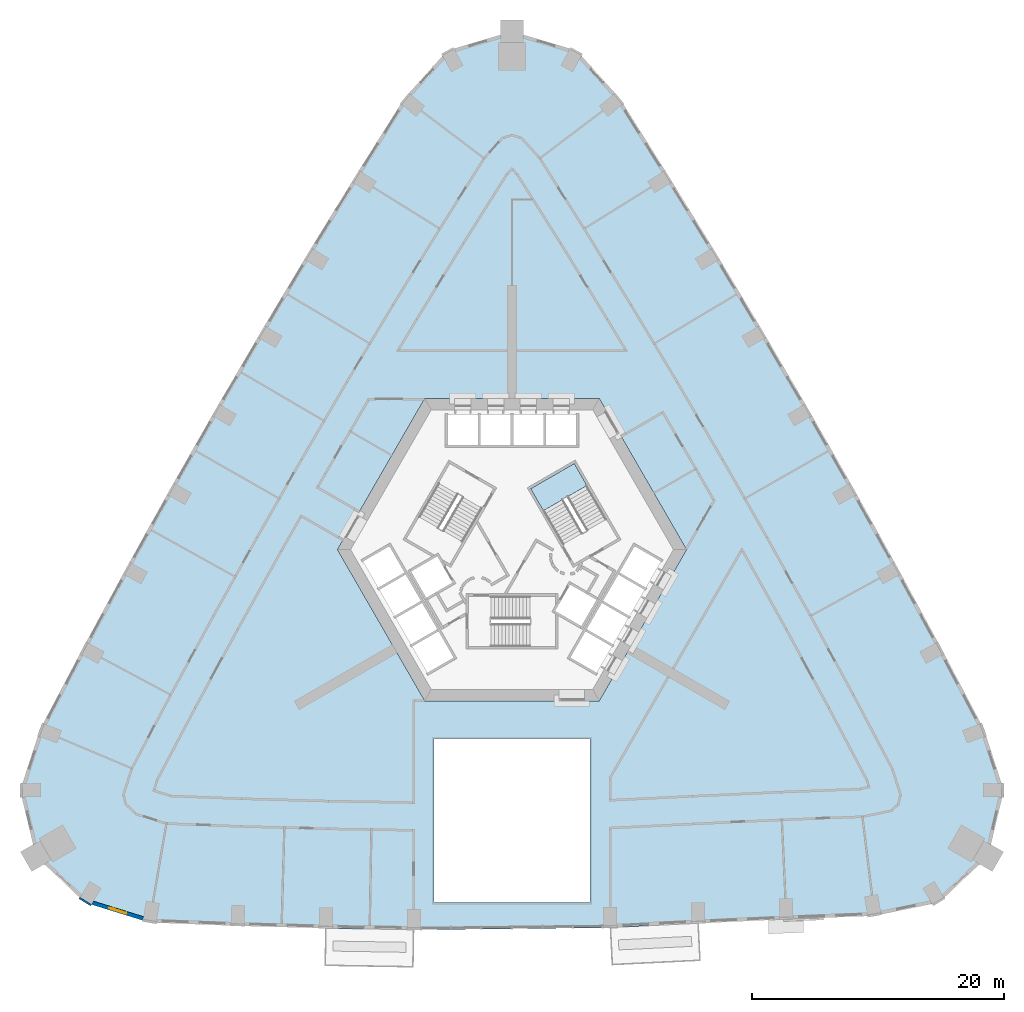
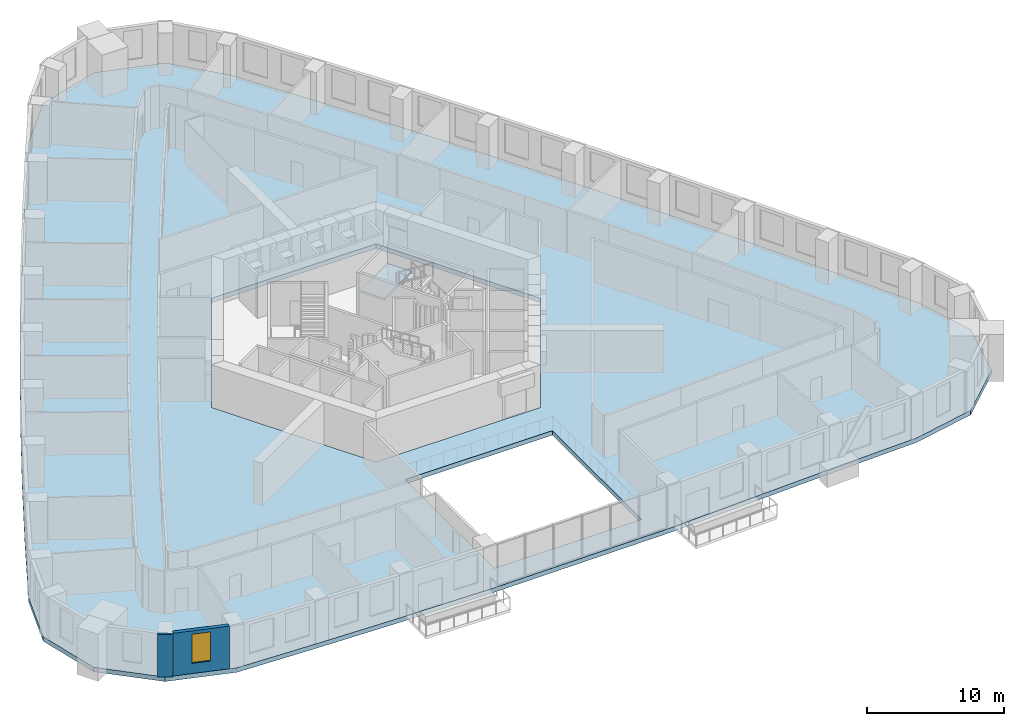
# One storey, part 3 of 14: 2 slabs, 2 walls, 1 window, 1 opening, 1 element without a shape of its own.
"""IFC4 building model written with IfcOpenShell, lengths in metres."""

from ifc_helpers import new_model, si_unit, direction, frame, frame_2d, origin, place, context, subcontext, project, spatial, polyline, rectangle, outline, extrude, material, layer, layer_set, type_object, element, fill, aggregate, save


model = new_model("IFC4")

# Units and contexts
model_context = context("Model", 3, precision=1e-05, world=origin(), true_north=direction((0.0, 1.0)))
body_context = subcontext(model_context, "Body", "Model", "MODEL_VIEW")
ifc_project = project(units=[si_unit("LENGTHUNIT", "METRE"), si_unit("AREAUNIT", "SQUARE_METRE"), si_unit("VOLUMEUNIT", "CUBIC_METRE"), si_unit("PLANEANGLEUNIT", "RADIAN"), si_unit("MASSUNIT", "GRAM", prefix="KILO")], contexts=[model_context])

# Site, building, storey
site_placement = place(None, origin())
site = spatial("IfcSite", under=ifc_project, at=site_placement, CompositionType="ELEMENT")
building_placement = place(site_placement, origin())
building = spatial("IfcBuilding", under=site, at=building_placement, Name="Entoto Arch Interchange Tower", CompositionType="ELEMENT")
storey_placement = place(building_placement, frame((0.0, 0.0, 116.0)))
storey = spatial("IfcBuildingStorey", under=building, at=storey_placement, Name="L25", CompositionType="ELEMENT", Elevation=116.0)

# Stair, slab
ifc_material_1 = material(Name="Concrete C40/50", Category="concrete")
stair_type = type_object("IfcStairType", Name="EXIT STAIR RC 1800", PredefinedType="HALF_TURN_STAIR", material=ifc_material_1)
stair_placement = place(storey_placement, origin())
stair = element("IfcStair", 1, at=stair_placement, inside=storey, type_object=stair_type, Name="L25 Exit stair NE", PredefinedType="HALF_TURN_STAIR")
ifc_layer_1 = layer(ifc_material_1, 0.199951171875)
ifc_layer_set_1 = layer_set([ifc_layer_1], Name="Concrete C40/50")
slab_type_1 = type_object("IfcSlabType", Name="EXIT STAIR LANDING RC 200", PredefinedType="LANDING", material=ifc_layer_set_1)
slab_1_placement = place(storey_placement, frame((0.0, 0.0, 1.89990234375)))
slab_1 = element("IfcSlab", 2, at=slab_1_placement, type_object=slab_type_1, Name="ST-NE landing 1", PredefinedType="LANDING", context=body_context, shape_type="SweptSolid", body=[
    extrude(outline(polyline([(5.953369140625, 7.58837890625), (4.943359375, 9.337890625), (1.479248046875, 7.337890625), (2.4892578125, 5.58837890625), (5.953369140625, 7.58837890625)])), origin(), (0.0, 0.0, 1.0), 0.2001953125),
])
aggregate(stair, [slab_1])

# Slab
ifc_layer_2 = layer(ifc_material_1, 0.39990234375)
ifc_layer_set_2 = layer_set([ifc_layer_2], Name="Concrete C40/50")
slab_type_2 = type_object("IfcSlabType", Name="Post-tensioned flat plate 400 C40/50", PredefinedType="FLOOR", material=ifc_layer_set_2)
slab_2_placement = place(storey_placement, frame((0.0, 0.0, -0.39990234375)))
element("IfcSlab", 3, at=slab_2_placement, inside=storey, type_object=slab_type_2, Name="Floor slab L25", PredefinedType="FLOOR", context=body_context, shape_type="SweptSolid", body=[
    extrude(outline(polyline([(-28.783935546875, -27.10107421875), (-21.7890625, -27.368896484375), (-14.794921875, -27.56201171875), (-7.800048828125, -27.681884765625), (7.800048828125, -27.510009765625), (14.794921875, -27.1669921875), (21.7890625, -26.841064453125), (28.783935546875, -26.572998046875), (33.9150390625, -25.506103515625), (37.801025390625, -21.824951171875), (39.047119140625, -16.617919921875), (37.47900390625, -11.782958984375), (34.06103515625, -5.303955078125), (30.6279296875, 1.035888671875), (27.1259765625, 7.3369140625), (23.555908203125, 13.60009765625), (19.9169921875, 19.822998046875), (16.2109375, 26.007080078125), (12.43798828125, 32.14990234375), (8.534912109375, 38.34912109375), (5.132080078125, 42.1240234375), (0.0, 43.64892578125), (-5.132080078125, 42.1240234375), (-8.534912109375, 38.34912109375), (-12.43798828125, 32.14990234375), (-16.2109375, 26.007080078125), (-19.9169921875, 19.822998046875), (-23.555908203125, 13.60009765625), (-27.1259765625, 7.3369140625), (-30.6279296875, 1.035888671875), (-34.06103515625, -5.303955078125), (-37.47900390625, -11.782958984375), (-39.047119140625, -16.617919921875), (-37.801025390625, -21.824951171875), (-33.9150390625, -25.506103515625), (-28.783935546875, -27.10107421875)]), holes=[polyline([(6.199951171875, -25.510009765625), (6.199951171875, -12.5), (-6.199951171875, -12.5), (-6.199951171875, -25.510009765625), (6.199951171875, -25.510009765625)]), polyline([(13.85595703125, 2.5), (6.927978515625, 14.5), (-6.927978515625, 14.5), (-13.85595703125, 2.5), (-6.927978515625, -9.5), (6.927978515625, -9.5), (13.85595703125, 2.5)])]), origin(), (0.0, 0.0, 1.0), 0.39990234375),
])

# Wall, opening, window
ifc_material_2 = material(Name="Welded tuff (ignimbrite) cladding, warm buff", Category="masonry")
ifc_layer_3 = layer(ifc_material_2, 0.300048828125)
ifc_layer_set_3 = layer_set([ifc_layer_3], Name="Welded tuff (ignimbrite) cladding, warm buff")
wall_type_1 = type_object("IfcWallType", Name="STONE INFILL WALL 300", PredefinedType="STANDARD", material=ifc_layer_set_3)
wall_1_placement = place(storey_placement, frame((-33.2939453125, -25.5419921875, 0.0), z_axis=(0.0, 0.0, 1.0), x_axis=(0.954955020021, -0.296750585066, 0.0)))
wall_1 = element("IfcWall", 4, at=wall_1_placement, inside=storey, type_object=wall_type_1, Name="Facade wall SW-04 L25", PredefinedType="STANDARD", context=body_context, shape_type="SweptSolid", body=[
    extrude(rectangle(XDim=4.19580078125, YDim=0.300048828125, at=frame_2d((2.097900390625, 0.0))), origin(), (0.0, 0.0, 1.0), 3.800048828125),
])
opening_placement = place(wall_1_placement, frame((1.39794921875, 0.0, 0.89990234375)))
opening = element("IfcOpeningElement", 5, at=opening_placement, cuts=wall_1, Name="Opening WO-B", PredefinedType="OPENING", context=body_context, shape_type="SweptSolid", body=[
    extrude(rectangle(XDim=1.39990234375, YDim=2.60009765625, at=frame_2d((0.699951171875, 1.300048828125))), frame((0.0, 0.16015625, 0.0), z_axis=(0.0, -1.0, 0.0), x_axis=(1.0, 0.0, 0.0)), (0.0, 0.0, 1.0), 0.320068359375),
])
ifc_material_3 = material(Name="Clear glass, low-e double glazed", Category="glass")
window_type = type_object("IfcWindowType", Name="WINDOW WO-B 1400x2600", PartitioningType="DOUBLE_PANEL_VERTICAL", PredefinedType="WINDOW", material=ifc_material_3)
window_placement = place(opening_placement, origin())
window = element("IfcWindow", 6, at=window_placement, inside=storey, type_object=window_type, Name="Window WO-B SW-04 L25", OverallHeight=2.60009765625, OverallWidth=1.39990234375, PartitioningType="SINGLE_PANEL", PredefinedType="WINDOW", context=body_context, shape_type="SweptSolid", body=[
    extrude(rectangle(XDim=1.39990234375, YDim=2.60009765625, at=frame_2d((0.699951171875, 1.300048828125))), frame((0.0, 0.030029296875, 0.0), z_axis=(0.0, -1.0, 0.0), x_axis=(1.0, 0.0, 0.0)), (0.0, 0.0, 1.0), 0.06005859375),
])
fill(opening, window)

# Wall
ifc_layer_4 = layer(ifc_material_2, 0.14990234375)
ifc_layer_set_4 = layer_set([ifc_layer_4], Name="Welded tuff (ignimbrite) cladding, warm buff")
wall_type_2 = type_object("IfcWallType", Name="STONE PIER CLADDING 150", PredefinedType="STANDARD", material=ifc_layer_set_4)
wall_2_placement = place(storey_placement, frame((-34.345947265625, -25.156005859375, 0.0), z_axis=(0.0, 0.0, 1.0), x_axis=(0.854245682901, -0.519869515594, 0.0)))
element("IfcWall", 7, at=wall_2_placement, inside=storey, type_object=wall_type_2, Name="Stone pier SW3 L25", PredefinedType="STANDARD", context=body_context, shape_type="SweptSolid", body=[
    extrude(rectangle(XDim=1.100341796875, YDim=0.14990234375, at=frame_2d((0.55029296875, 0.0))), origin(), (0.0, 0.0, 1.0), 3.800048828125),
])

save(model, "model.ifc")
